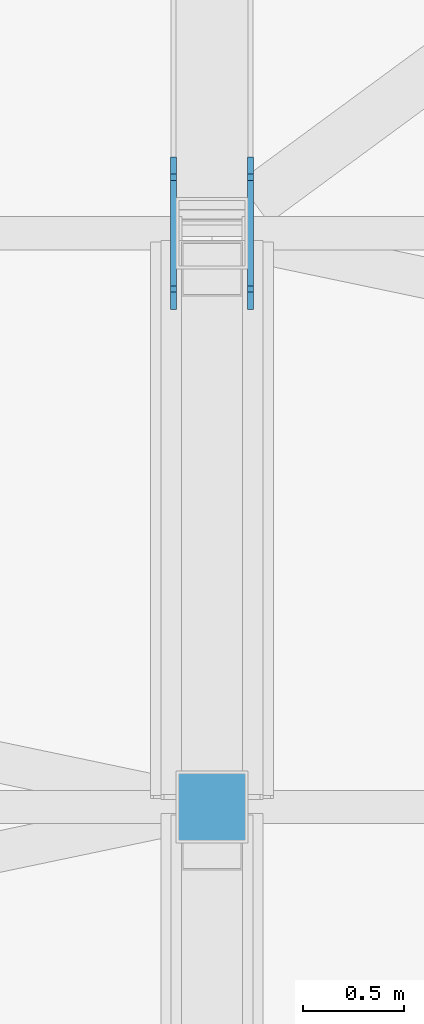
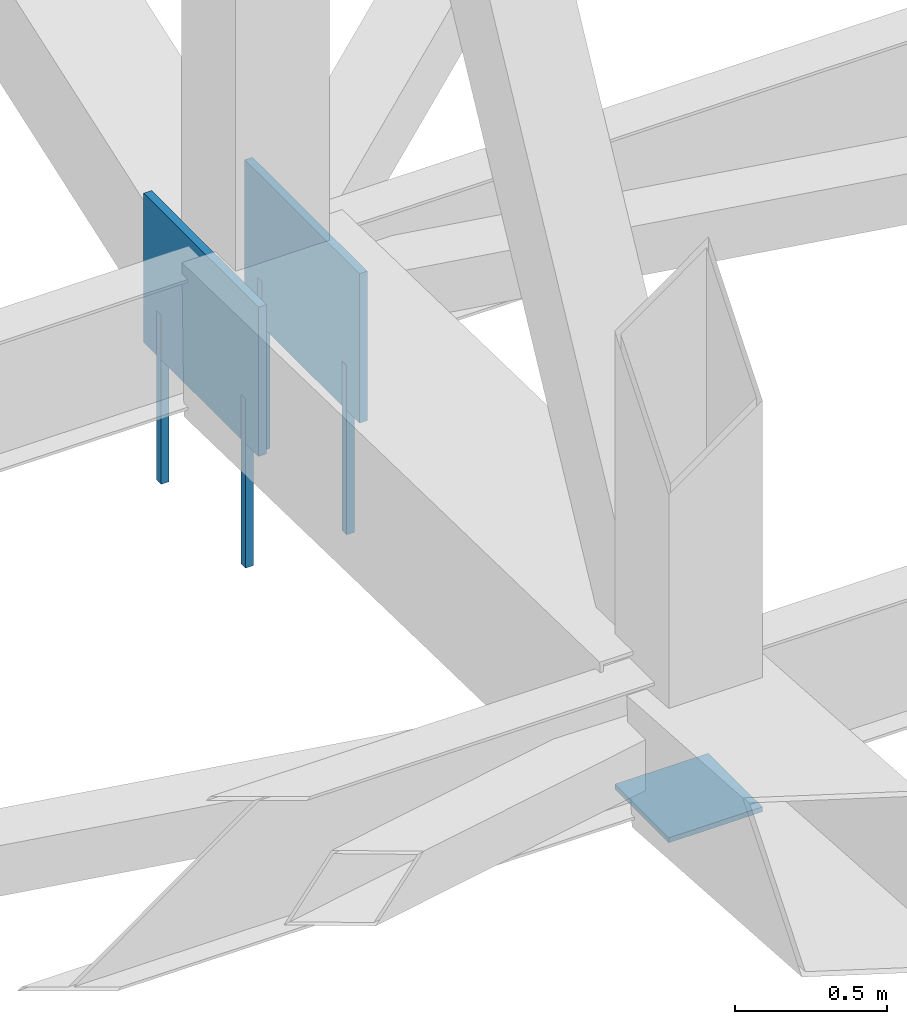
# One storey, part 233 of 278: 4 mechanical fasteners, 3 discrete accessories.
"""IFC4 building model written with IfcOpenShell, lengths in metres."""

from ifc_helpers import new_model, si_unit, direction, frame, origin, origin_2d, place, context, subcontext, project, spatial, rectangle, extrude, material, layer, layer_set, type_object, element, save


model = new_model("IFC4")

# Units and contexts
model_context = context("Model", 3, precision=1e-05, world=origin(), true_north=direction((0.0, 1.0)))
body_context = subcontext(model_context, "Body", "Model", "MODEL_VIEW")
ifc_project = project(units=[si_unit("LENGTHUNIT", "METRE"), si_unit("AREAUNIT", "SQUARE_METRE"), si_unit("VOLUMEUNIT", "CUBIC_METRE"), si_unit("PLANEANGLEUNIT", "RADIAN"), si_unit("MASSUNIT", "GRAM", prefix="KILO")], contexts=[model_context])

# Site, building, storey
site_placement = place(None, origin())
site = spatial("IfcSite", under=ifc_project, at=site_placement, CompositionType="ELEMENT")
building_placement = place(site_placement, origin())
building = spatial("IfcBuilding", under=site, at=building_placement, Name="Ogive Plaza Stadium", CompositionType="ELEMENT")
storey_placement = place(building_placement, frame((0.0, 0.0, 29.0)))
storey = spatial("IfcBuildingStorey", under=building, at=storey_placement, Name="Roof", CompositionType="ELEMENT", Elevation=29.0)

# Mechanical fasteners
ifc_material_1 = material(Name="Steel ASTM A992 Grade 50", Category="steel")
mechanical_fastener_type = type_object("IfcMechanicalFastenerType", Name="Anchor bolt M30 x 600", PredefinedType="ANCHORBOLT", material=ifc_material_1)
for number, where, z_axis, x_axis, name in (
    (1, (-6.99169921875, 92.77783203125, -0.5), (0.0, 0.0, 1.0), (0.0, 1.0, 0.0), "ANCHOR BOLT 34 BP 1.1"),
    (2, (-6.99169921875, 92.22216796875, -0.5), (0.0, 0.0, 1.0), (0.0, 1.0, 0.0), "ANCHOR BOLT 34 BP 1.2"),
    (3, (-6.608154296875, 92.77783203125, -0.5), (0.0, 0.0, 1.0), (0.0, 1.0, 0.0), "ANCHOR BOLT 34 BP 2.1"),
    (4, (-6.608154296875, 92.22216796875, -0.5), (0.0, 0.0, 1.0), (0.0, 1.0, 0.0), "ANCHOR BOLT 34 BP 2.2"),
):
    element("IfcMechanicalFastener", number, at=place(storey_placement, frame(where, z_axis=z_axis, x_axis=x_axis)), inside=storey, type_object=mechanical_fastener_type, Name=name, PredefinedType="ANCHORBOLT", context=body_context, shape_type="SweptSolid", body=[
        extrude(rectangle(XDim=0.030029296875, YDim=0.030029296875, at=origin_2d()), origin(), (0.0, 0.0, 1.0), 0.679931640625),
    ])

# Discrete accessories
ifc_material_2 = material(Name="Steel ASTM A992 Grade 50", Category="steel")
ifc_layer_1 = layer(ifc_material_2, 0.02001953125)
ifc_layer_set_1 = layer_set([ifc_layer_1], Name="Steel ASTM A992 Grade 50")
discrete_accessory_type_1 = type_object("IfcDiscreteAccessoryType", Name="Roof truss post cap plate 20", PredefinedType="ANCHORPLATE", material=ifc_layer_set_1)
discrete_accessory_placement = place(storey_placement, frame((-6.800048828125, 89.64990234375, 0.04541015625), z_axis=(0.0, 0.0, 1.0), x_axis=(0.0, 1.0, 0.0)))
element("IfcDiscreteAccessory", 5, at=discrete_accessory_placement, inside=storey, type_object=discrete_accessory_type_1, Name="ROOF TRUSS POST CAP PLATE 34 10", PredefinedType="ANCHORPLATE", context=body_context, shape_type="SweptSolid", body=[
    extrude(rectangle(XDim=0.355712890625, YDim=0.355712890625, at=origin_2d()), origin(), (0.0, 0.0, 1.0), 0.02001953125),
])
ifc_material_3 = material(Name="Steel ASTM A992 Grade 50", Category="steel")
ifc_layer_2 = layer(ifc_material_3, 0.030029296875)
ifc_layer_set_2 = layer_set([ifc_layer_2], Name="Steel ASTM A992 Grade 50")
discrete_accessory_type_2 = type_object("IfcDiscreteAccessoryType", Name="Truss root foot cleat plate 30", PredefinedType="ANCHORPLATE", material=ifc_layer_set_2)
for number, where, z_axis, x_axis, name in (
    (6, (-6.99169921875, 92.5, 0.0), (0.0, 0.0, 1.0), (0.0, 1.0, 0.0), "TRUSS ROOT FOOT CLEAT PLATE 34 1"),
    (7, (-6.608154296875, 92.5, 0.0), (0.0, 0.0, 1.0), (0.0, 1.0, 0.0), "TRUSS ROOT FOOT CLEAT PLATE 34 2"),
):
    element("IfcDiscreteAccessory", number, at=place(storey_placement, frame(where, z_axis=z_axis, x_axis=x_axis)), inside=storey, type_object=discrete_accessory_type_2, Name=name, PredefinedType="ANCHORPLATE", context=body_context, shape_type="SweptSolid", body=[
        extrude(rectangle(XDim=0.755615234375, YDim=0.030029296875, at=origin_2d()), origin(), (0.0, 0.0, 1.0), 0.60009765625),
    ])

save(model, "model.ifc")
